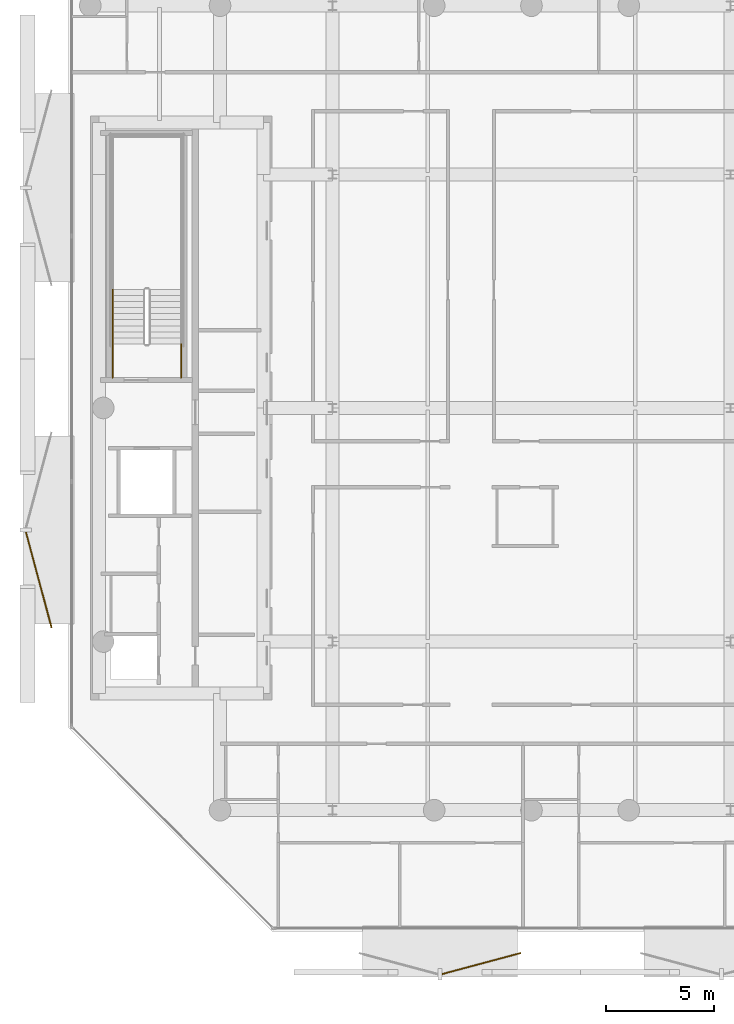
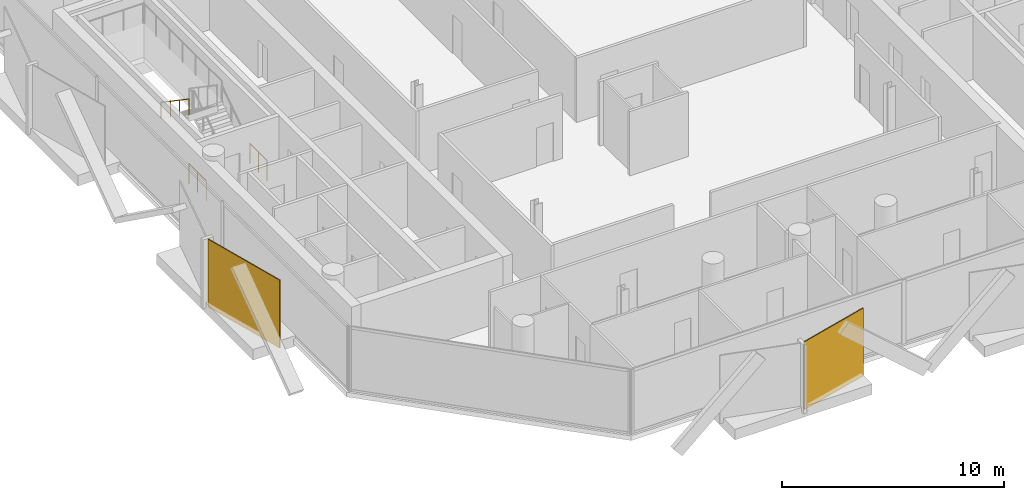
# One storey, part 13 of 16: 3 railings, 2 coverings.
"""IFC4 building model written with IfcOpenShell, lengths in metres."""

from ifc_helpers import new_model, si_unit, direction, frame, origin, origin_2d, place, context, subcontext, project, spatial, rectangle, circle, extrude, material, layer, layer_set, type_object, element, save


model = new_model("IFC4")

# Units and contexts
model_context = context("Model", 3, precision=1e-05, world=origin(), true_north=direction((0.0, 1.0)))
body_context = subcontext(model_context, "Body", "Model", "MODEL_VIEW")
ifc_project = project(units=[si_unit("LENGTHUNIT", "METRE"), si_unit("AREAUNIT", "SQUARE_METRE"), si_unit("VOLUMEUNIT", "CUBIC_METRE"), si_unit("PLANEANGLEUNIT", "RADIAN"), si_unit("MASSUNIT", "GRAM", prefix="KILO")], contexts=[model_context])

# Site, building, storey
site_placement = place(None, origin())
site = spatial("IfcSite", under=ifc_project, at=site_placement, CompositionType="ELEMENT")
building_placement = place(site_placement, origin())
building = spatial("IfcBuilding", under=site, at=building_placement, Name="Khairoan Windgate Tower", CompositionType="ELEMENT")
storey_placement = place(building_placement, frame((0.0, 0.0, 311.800048828125)))
storey = spatial("IfcBuildingStorey", under=building, at=storey_placement, Name="L75", CompositionType="ELEMENT", Elevation=311.800048828125)

# Coverings
ifc_material_1 = material(Name="Anodised Bronze Aluminium 6063-T6", Category="aluminium")
ifc_layer = layer(ifc_material_1, 0.054931640625, Name="Anodised Bronze Aluminium 6063-T6")
ifc_layer_set = layer_set([ifc_layer], Name="Anodised Bronze Aluminium 6063-T6")
covering_type = type_object("IfcCoveringType", Name="Perforated Bronze-Ceramic Folded Solar Screen Cladding BSC-1", PredefinedType="CLADDING", material=ifc_layer_set)
covering_1_placement = place(storey_placement, frame((-2.320556640625, -25.69140625, -0.10009765625), z_axis=(0.0, 0.0, 1.0), x_axis=(-0.965925826289, -0.258819045103, 0.0)))
element("IfcCovering", 1, at=covering_1_placement, inside=storey, type_object=covering_type, Name="L75 Folded Bronze Solar Screen Facet 527L", PredefinedType="CLADDING", context=body_context, shape_type="SweptSolid", body=[
    extrude(rectangle(XDim=3.77490234375, YDim=0.054931640625, at=origin_2d()), origin(), (0.0, 0.0, 1.0), 3.739990234375),
])
covering_2_placement = place(storey_placement, frame((-22.786376953125, -7.939208984375, -0.10009765625), z_axis=(0.0, 0.0, 1.0), x_axis=(-0.258819045103, 0.965925826289, 0.0)))
element("IfcCovering", 2, at=covering_2_placement, inside=storey, type_object=covering_type, Name="L75 Folded Bronze Solar Screen Facet 528L", PredefinedType="CLADDING", context=body_context, shape_type="SweptSolid", body=[
    extrude(rectangle(XDim=4.5869140625, YDim=0.054931640625, at=origin_2d()), origin(), (0.0, 0.0, 1.0), 3.739990234375),
])

# Railings
ifc_material_2 = material(Name="Anodised Bronze Aluminium 6063-T6", Category="aluminium")
railing_type_1 = type_object("IfcRailingType", Name="Stair Wall Handrail SHR-900", PredefinedType="HANDRAIL", material=ifc_material_2)
railing_placement = place(storey_placement, frame((-19.3701171875, 5.47998046875, 2.08984375)))
element("IfcRailing", 3, at=railing_placement, inside=storey, type_object=railing_type_1, Name="L75 ST2 stair handrail 2", PredefinedType="HANDRAIL", context=body_context, shape_type="SweptSolid", body=[
    extrude(circle(Radius=0.02392578125, at=origin_2d()), frame((0.0, 0.0, 0.8759765625), z_axis=(0.0, -0.82744650838, 0.561544544778), x_axis=(1.0, 0.0, 0.0)), (0.0, 0.0, 1.0), 3.045654296875),
    extrude(circle(Radius=0.02099609375, at=origin_2d()), origin(), (0.0, 0.0, 1.0), 0.851806640625),
    extrude(circle(Radius=0.02099609375, at=origin_2d()), frame((0.0, -0.840087890625, 0.570068359375)), (0.0, 0.0, 1.0), 0.851806640625),
    extrude(circle(Radius=0.02099609375, at=origin_2d()), frame((0.0, -1.679931640625, 1.14013671875)), (0.0, 0.0, 1.0), 0.851806640625),
    extrude(circle(Radius=0.02099609375, at=origin_2d()), frame((0.0, -2.52001953125, 1.710205078125)), (0.0, 0.0, 1.0), 0.851806640625),
])
ifc_material_3 = material(Name="Steel S355", Category="steel")
railing_type_2 = type_object("IfcRailingType", Name="Stairwell Safety Guardrail SGR-1150", PredefinedType="GUARDRAIL", material=ifc_material_3)
for number, where, name in (
    (4, (-16.199951171875, 1.39990234375, 0.0), "L75 ST2 stair guard 8"),
    (5, (-19.3701171875, 1.39990234375, 0.0), "L75 ST2 stair guard 9"),
):
    element("IfcRailing", number, at=place(storey_placement, frame(where)), inside=storey, type_object=railing_type_2, Name=name, PredefinedType="GUARDRAIL", context=body_context, shape_type="SweptSolid", body=[
        extrude(circle(Radius=0.02392578125, at=origin_2d()), frame((0.0, 0.0, 1.1259765625), z_axis=(0.0, 1.0, 0.0), x_axis=(-1.0, 0.0, 0.0)), (0.0, 0.0, 1.0), 1.56005859375),
        extrude(circle(Radius=0.02099609375, at=origin_2d()), origin(), (0.0, 0.0, 1.0), 1.101806640625),
        extrude(circle(Radius=0.02099609375, at=origin_2d()), frame((0.0, 0.780029296875, 0.0)), (0.0, 0.0, 1.0), 1.101806640625),
        extrude(circle(Radius=0.02099609375, at=origin_2d()), frame((0.0, 1.56005859375, 0.0)), (0.0, 0.0, 1.0), 1.101806640625),
    ])

save(model, "model.ifc")
